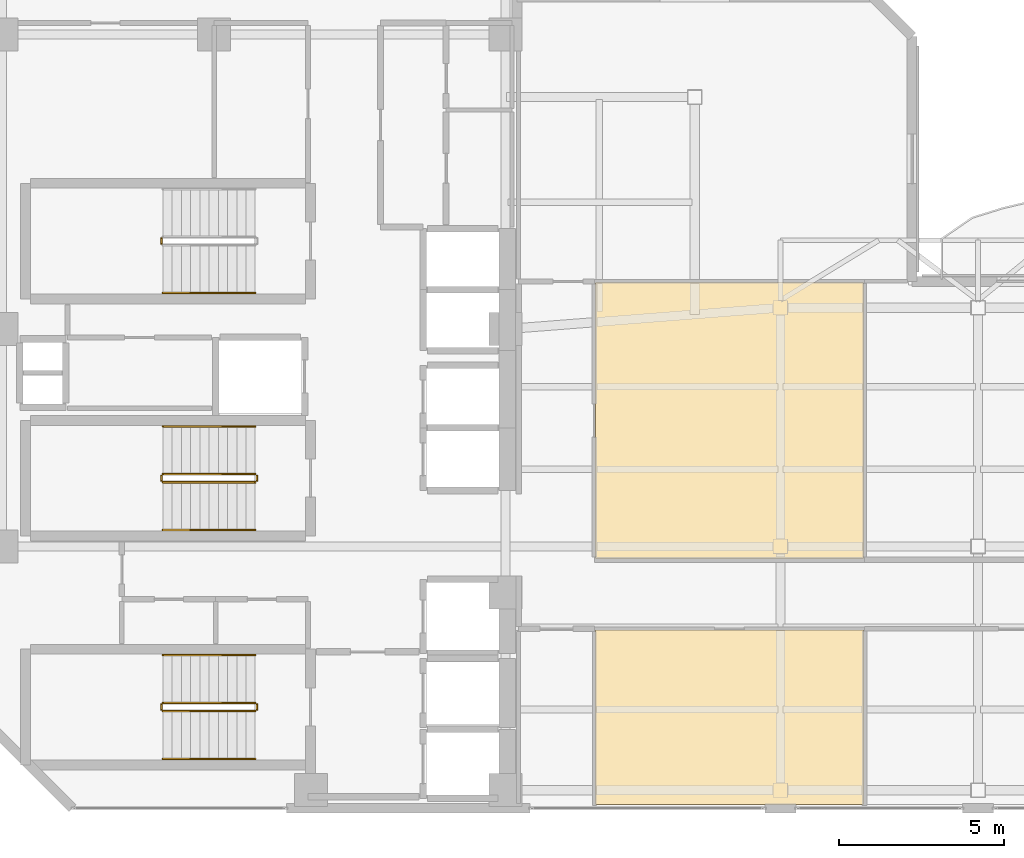
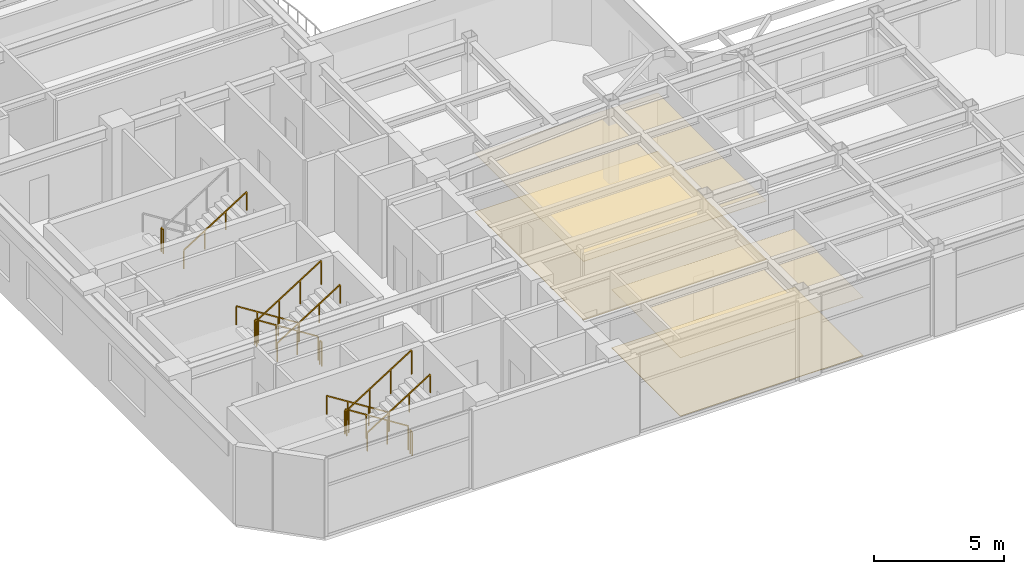
# One storey, part 13 of 17: 14 railings, 4 coverings.
"""IFC4 building model written with IfcOpenShell, lengths in metres."""

from ifc_helpers import new_model, si_unit, direction, frame, origin, origin_2d, place, context, subcontext, project, spatial, polyline, rectangle, outline, extrude, material, layer, layer_set, type_object, element, save


model = new_model("IFC4")

# Units and contexts
model_context = context("Model", 3, precision=1e-05, world=origin(), true_north=direction((0.0, 1.0)))
body_context = subcontext(model_context, "Body", "Model", "MODEL_VIEW")
ifc_project = project(units=[si_unit("LENGTHUNIT", "METRE"), si_unit("AREAUNIT", "SQUARE_METRE"), si_unit("VOLUMEUNIT", "CUBIC_METRE"), si_unit("PLANEANGLEUNIT", "RADIAN"), si_unit("MASSUNIT", "GRAM", prefix="KILO")], contexts=[model_context])

# Site, building, storey
site_placement = place(None, origin())
site = spatial("IfcSite", under=ifc_project, at=site_placement, CompositionType="ELEMENT")
building_placement = place(site_placement, origin())
building = spatial("IfcBuilding", under=site, at=building_placement, Name="Mawjaban Terraces University", CompositionType="ELEMENT")
storey_placement = place(building_placement, frame((0.0, 0.0, 183.60009765625)))
storey = spatial("IfcBuildingStorey", under=building, at=storey_placement, Name="L44", CompositionType="ELEMENT", Elevation=183.60009765625)

# Coverings
ifc_material_1 = material(Name="Acoustic mineral fibre ceiling tile", Category="masonry")
ifc_layer_1 = layer(ifc_material_1, 0.02001953125)
ifc_layer_set_1 = layer_set([ifc_layer_1], Name="Acoustic mineral fibre ceiling tile")
covering_type_1 = type_object("IfcCoveringType", Name="AcousticMineralCeiling_20", PredefinedType="CEILING", material=ifc_layer_set_1)
covering_1_placement = place(storey_placement, frame((0.0, 0.0, 2.75)))
element("IfcCovering", 1, at=covering_1_placement, inside=storey, type_object=covering_type_1, Name="L44 Seminar Room 2 Acoustic Ceiling", PredefinedType="CEILING", context=body_context, shape_type="SweptSolid", body=[
    extrude(outline(polyline([(40.3798828125, 0.114990234375), (48.52001953125, 0.114990234375), (48.52001953125, 5.419921875), (40.3798828125, 5.419921875), (40.3798828125, 0.114990234375)])), origin(), (0.0, 0.0, 1.0), 0.02001953125),
])
covering_2_placement = place(storey_placement, frame((0.0, 0.0, 2.75)))
element("IfcCovering", 2, at=covering_2_placement, inside=storey, type_object=covering_type_1, Name="L44 Classroom 3 Acoustic Ceiling", PredefinedType="CEILING", context=body_context, shape_type="SweptSolid", body=[
    extrude(outline(polyline([(48.52001953125, 7.580078125), (48.52001953125, 15.969970703125), (40.3798828125, 15.969970703125), (40.3798828125, 7.580078125), (48.52001953125, 7.580078125)])), origin(), (0.0, 0.0, 1.0), 0.02001953125),
])

# Railings
ifc_material_2 = material(Name="Brushed stainless steel 316", Category="steel")
railing_type_1 = type_object("IfcRailingType", Name="StairWallHandrail_900", PredefinedType="HANDRAIL", material=ifc_material_2)
railing_1_placement = place(storey_placement, frame((30.050048828125, 4.64990234375, 0.17724609375)))
element("IfcRailing", 3, at=railing_1_placement, inside=storey, type_object=railing_type_1, Name="L44 ST-1 stair handrail 1", PredefinedType="HANDRAIL", context=body_context, shape_type="SweptSolid", body=[
    extrude(rectangle(XDim=0.048095703125, YDim=0.048095703125, at=origin_2d()), frame((0.0, 0.0, 0.8759765625), z_axis=(-0.844908973607, 0.0, 0.534910110503), x_axis=(0.0, -1.0, 0.0)), (0.0, 0.0, 1.0), 3.31396484375),
    extrude(rectangle(XDim=0.0419921875, YDim=0.0419921875, at=origin_2d()), origin(), (0.0, 0.0, 1.0), 0.851806640625),
    extrude(rectangle(XDim=0.0419921875, YDim=0.0419921875, at=origin_2d()), frame((-0.933349609375, 0.0, 0.5908203125)), (0.0, 0.0, 1.0), 0.851806640625),
    extrude(rectangle(XDim=0.0419921875, YDim=0.0419921875, at=origin_2d()), frame((-1.86669921875, 0.0, 1.181884765625)), (0.0, 0.0, 1.0), 0.851806640625),
    extrude(rectangle(XDim=0.0419921875, YDim=0.0419921875, at=origin_2d()), frame((-2.800048828125, 0.0, 1.772705078125)), (0.0, 0.0, 1.0), 0.851806640625),
])
for number, where, name in (
    (4, (27.25, 1.5, 2.127197265625), "L44 ST-1 stair handrail 2"),
    (5, (27.25, 15.64990234375, 2.127197265625), "L44 ST-2 stair handrail 2"),
):
    element("IfcRailing", number, at=place(storey_placement, frame(where)), inside=storey, type_object=railing_type_1, Name=name, PredefinedType="HANDRAIL", context=body_context, shape_type="SweptSolid", body=[
        extrude(rectangle(XDim=0.048095703125, YDim=0.048095703125, at=origin_2d()), frame((0.0, 0.0, 0.8759765625), z_axis=(0.844908973607, 0.0, 0.534910110503), x_axis=(0.0, 1.0, 0.0)), (0.0, 0.0, 1.0), 3.31396484375),
        extrude(rectangle(XDim=0.0419921875, YDim=0.0419921875, at=origin_2d()), origin(), (0.0, 0.0, 1.0), 0.851806640625),
        extrude(rectangle(XDim=0.0419921875, YDim=0.0419921875, at=origin_2d()), frame((0.933349609375, 0.0, 0.5908203125)), (0.0, 0.0, 1.0), 0.851806640625),
        extrude(rectangle(XDim=0.0419921875, YDim=0.0419921875, at=origin_2d()), frame((1.86669921875, 0.0, 1.181884765625)), (0.0, 0.0, 1.0), 0.851806640625),
        extrude(rectangle(XDim=0.0419921875, YDim=0.0419921875, at=origin_2d()), frame((2.800048828125, 0.0, 1.772705078125)), (0.0, 0.0, 1.0), 0.851806640625),
    ])
railing_2_placement = place(storey_placement, frame((30.050048828125, 11.60009765625, 0.17724609375)))
element("IfcRailing", 6, at=railing_2_placement, inside=storey, type_object=railing_type_1, Name="L44 ST-3 stair handrail 1", PredefinedType="HANDRAIL", context=body_context, shape_type="SweptSolid", body=[
    extrude(rectangle(XDim=0.048095703125, YDim=0.048095703125, at=origin_2d()), frame((0.0, 0.0, 0.8759765625), z_axis=(-0.844908973607, 0.0, 0.534910110503), x_axis=(0.0, -1.0, 0.0)), (0.0, 0.0, 1.0), 3.31396484375),
    extrude(rectangle(XDim=0.0419921875, YDim=0.0419921875, at=origin_2d()), origin(), (0.0, 0.0, 1.0), 0.851806640625),
    extrude(rectangle(XDim=0.0419921875, YDim=0.0419921875, at=origin_2d()), frame((-0.933349609375, 0.0, 0.5908203125)), (0.0, 0.0, 1.0), 0.851806640625),
    extrude(rectangle(XDim=0.0419921875, YDim=0.0419921875, at=origin_2d()), frame((-1.86669921875, 0.0, 1.181884765625)), (0.0, 0.0, 1.0), 0.851806640625),
    extrude(rectangle(XDim=0.0419921875, YDim=0.0419921875, at=origin_2d()), frame((-2.800048828125, 0.0, 1.772705078125)), (0.0, 0.0, 1.0), 0.851806640625),
])
railing_3_placement = place(storey_placement, frame((27.25, 8.449951171875, 2.127197265625)))
element("IfcRailing", 7, at=railing_3_placement, inside=storey, type_object=railing_type_1, Name="L44 ST-3 stair handrail 2", PredefinedType="HANDRAIL", context=body_context, shape_type="SweptSolid", body=[
    extrude(rectangle(XDim=0.048095703125, YDim=0.048095703125, at=origin_2d()), frame((0.0, 0.0, 0.8759765625), z_axis=(0.844908973607, 0.0, 0.534910110503), x_axis=(0.0, 1.0, 0.0)), (0.0, 0.0, 1.0), 3.31396484375),
    extrude(rectangle(XDim=0.0419921875, YDim=0.0419921875, at=origin_2d()), origin(), (0.0, 0.0, 1.0), 0.851806640625),
    extrude(rectangle(XDim=0.0419921875, YDim=0.0419921875, at=origin_2d()), frame((0.933349609375, 0.0, 0.5908203125)), (0.0, 0.0, 1.0), 0.851806640625),
    extrude(rectangle(XDim=0.0419921875, YDim=0.0419921875, at=origin_2d()), frame((1.86669921875, 0.0, 1.181884765625)), (0.0, 0.0, 1.0), 0.851806640625),
    extrude(rectangle(XDim=0.0419921875, YDim=0.0419921875, at=origin_2d()), frame((2.800048828125, 0.0, 1.772705078125)), (0.0, 0.0, 1.0), 0.851806640625),
])
ifc_material_3 = material(Name="Galvanised painted steel S355", Category="steel")
railing_type_2 = type_object("IfcRailingType", Name="StairWellGuard_1150", PredefinedType="BALUSTRADE", material=ifc_material_3)
railing_4_placement = place(storey_placement, frame((30.050048828125, 3.199951171875, 0.17724609375)))
element("IfcRailing", 8, at=railing_4_placement, inside=storey, type_object=railing_type_2, Name="L44 ST-1 stair guard 1", PredefinedType="BALUSTRADE", context=body_context, shape_type="SweptSolid", body=[
    extrude(rectangle(XDim=0.048095703125, YDim=0.048095703125, at=origin_2d()), frame((0.0, 0.0, 1.1259765625), z_axis=(-0.844908973607, 0.0, 0.534910110503), x_axis=(0.0, -1.0, 0.0)), (0.0, 0.0, 1.0), 3.31396484375),
    extrude(rectangle(XDim=0.0419921875, YDim=0.0419921875, at=origin_2d()), origin(), (0.0, 0.0, 1.0), 1.101806640625),
    extrude(rectangle(XDim=0.0419921875, YDim=0.0419921875, at=origin_2d()), frame((-0.933349609375, 0.0, 0.5908203125)), (0.0, 0.0, 1.0), 1.101806640625),
    extrude(rectangle(XDim=0.0419921875, YDim=0.0419921875, at=origin_2d()), frame((-1.86669921875, 0.0, 1.181884765625)), (0.0, 0.0, 1.0), 1.101806640625),
    extrude(rectangle(XDim=0.0419921875, YDim=0.0419921875, at=origin_2d()), frame((-2.800048828125, 0.0, 1.772705078125)), (0.0, 0.0, 1.0), 1.101806640625),
])
railing_5_placement = place(storey_placement, frame((27.199951171875, 3.14990234375, 1.949951171875)))
element("IfcRailing", 9, at=railing_5_placement, inside=storey, type_object=railing_type_2, Name="L44 ST-1 stair guard 2", PredefinedType="BALUSTRADE", context=body_context, shape_type="SweptSolid", body=[
    extrude(rectangle(XDim=0.048095703125, YDim=0.048095703125, at=origin_2d()), frame((0.0, 0.0, 1.1259765625), z_axis=(0.0, -1.0, 0.0), x_axis=(1.0, 0.0, 0.0)), (0.0, 0.0, 1.0), 0.14990234375),
    extrude(rectangle(XDim=0.0419921875, YDim=0.0419921875, at=origin_2d()), origin(), (0.0, 0.0, 1.0), 1.101806640625),
    extrude(rectangle(XDim=0.0419921875, YDim=0.0419921875, at=origin_2d()), frame((0.0, -0.14990234375, 0.0)), (0.0, 0.0, 1.0), 1.101806640625),
])
railing_6_placement = place(storey_placement, frame((27.25, 2.949951171875, 2.127197265625)))
element("IfcRailing", 10, at=railing_6_placement, inside=storey, type_object=railing_type_2, Name="L44 ST-1 stair guard 3", PredefinedType="BALUSTRADE", context=body_context, shape_type="SweptSolid", body=[
    extrude(rectangle(XDim=0.048095703125, YDim=0.048095703125, at=origin_2d()), frame((0.0, 0.0, 1.1259765625), z_axis=(0.844908973607, 0.0, 0.534910110503), x_axis=(0.0, 1.0, 0.0)), (0.0, 0.0, 1.0), 3.31396484375),
    extrude(rectangle(XDim=0.0419921875, YDim=0.0419921875, at=origin_2d()), origin(), (0.0, 0.0, 1.0), 1.101806640625),
    extrude(rectangle(XDim=0.0419921875, YDim=0.0419921875, at=origin_2d()), frame((0.933349609375, 0.0, 0.5908203125)), (0.0, 0.0, 1.0), 1.101806640625),
    extrude(rectangle(XDim=0.0419921875, YDim=0.0419921875, at=origin_2d()), frame((1.86669921875, 0.0, 1.181884765625)), (0.0, 0.0, 1.0), 1.101806640625),
    extrude(rectangle(XDim=0.0419921875, YDim=0.0419921875, at=origin_2d()), frame((2.800048828125, 0.0, 1.772705078125)), (0.0, 0.0, 1.0), 1.101806640625),
])
railing_7_placement = place(storey_placement, frame((30.10009765625, 3.14990234375, 0.0)))
element("IfcRailing", 11, at=railing_7_placement, inside=storey, type_object=railing_type_2, Name="L44 ST-1 stair guard 4", PredefinedType="BALUSTRADE", context=body_context, shape_type="SweptSolid", body=[
    extrude(rectangle(XDim=0.048095703125, YDim=0.048095703125, at=origin_2d()), frame((0.0, 0.0, 1.1259765625), z_axis=(0.0, -1.0, 0.0), x_axis=(1.0, 0.0, 0.0)), (0.0, 0.0, 1.0), 0.14990234375),
    extrude(rectangle(XDim=0.0419921875, YDim=0.0419921875, at=origin_2d()), origin(), (0.0, 0.0, 1.0), 1.101806640625),
    extrude(rectangle(XDim=0.0419921875, YDim=0.0419921875, at=origin_2d()), frame((0.0, -0.14990234375, 0.0)), (0.0, 0.0, 1.0), 1.101806640625),
])
railing_8_placement = place(storey_placement, frame((27.199951171875, 17.300048828125, 1.949951171875)))
element("IfcRailing", 12, at=railing_8_placement, inside=storey, type_object=railing_type_2, Name="L44 ST-2 stair guard 2", PredefinedType="BALUSTRADE", context=body_context, shape_type="SweptSolid", body=[
    extrude(rectangle(XDim=0.048095703125, YDim=0.048095703125, at=origin_2d()), frame((0.0, 0.0, 1.1259765625), z_axis=(0.0, -1.0, 0.0), x_axis=(1.0, 0.0, 0.0)), (0.0, 0.0, 1.0), 0.150146484375),
    extrude(rectangle(XDim=0.0419921875, YDim=0.0419921875, at=origin_2d()), origin(), (0.0, 0.0, 1.0), 1.101806640625),
    extrude(rectangle(XDim=0.0419921875, YDim=0.0419921875, at=origin_2d()), frame((0.0, -0.150146484375, 0.0)), (0.0, 0.0, 1.0), 1.101806640625),
])
railing_9_placement = place(storey_placement, frame((30.050048828125, 10.14990234375, 0.17724609375)))
element("IfcRailing", 13, at=railing_9_placement, inside=storey, type_object=railing_type_2, Name="L44 ST-3 stair guard 1", PredefinedType="BALUSTRADE", context=body_context, shape_type="SweptSolid", body=[
    extrude(rectangle(XDim=0.048095703125, YDim=0.048095703125, at=origin_2d()), frame((0.0, 0.0, 1.1259765625), z_axis=(-0.844908973607, 0.0, 0.534910110503), x_axis=(0.0, -1.0, 0.0)), (0.0, 0.0, 1.0), 3.31396484375),
    extrude(rectangle(XDim=0.0419921875, YDim=0.0419921875, at=origin_2d()), origin(), (0.0, 0.0, 1.0), 1.101806640625),
    extrude(rectangle(XDim=0.0419921875, YDim=0.0419921875, at=origin_2d()), frame((-0.933349609375, 0.0, 0.5908203125)), (0.0, 0.0, 1.0), 1.101806640625),
    extrude(rectangle(XDim=0.0419921875, YDim=0.0419921875, at=origin_2d()), frame((-1.86669921875, 0.0, 1.181884765625)), (0.0, 0.0, 1.0), 1.101806640625),
    extrude(rectangle(XDim=0.0419921875, YDim=0.0419921875, at=origin_2d()), frame((-2.800048828125, 0.0, 1.772705078125)), (0.0, 0.0, 1.0), 1.101806640625),
])
railing_10_placement = place(storey_placement, frame((27.199951171875, 10.10009765625, 1.949951171875)))
element("IfcRailing", 14, at=railing_10_placement, inside=storey, type_object=railing_type_2, Name="L44 ST-3 stair guard 2", PredefinedType="BALUSTRADE", context=body_context, shape_type="SweptSolid", body=[
    extrude(rectangle(XDim=0.048095703125, YDim=0.048095703125, at=origin_2d()), frame((0.0, 0.0, 1.1259765625), z_axis=(0.0, -1.0, 0.0), x_axis=(1.0, 0.0, 0.0)), (0.0, 0.0, 1.0), 0.150146484375),
    extrude(rectangle(XDim=0.0419921875, YDim=0.0419921875, at=origin_2d()), origin(), (0.0, 0.0, 1.0), 1.101806640625),
    extrude(rectangle(XDim=0.0419921875, YDim=0.0419921875, at=origin_2d()), frame((0.0, -0.150146484375, 0.0)), (0.0, 0.0, 1.0), 1.101806640625),
])
railing_11_placement = place(storey_placement, frame((27.25, 9.89990234375, 2.127197265625)))
element("IfcRailing", 15, at=railing_11_placement, inside=storey, type_object=railing_type_2, Name="L44 ST-3 stair guard 3", PredefinedType="BALUSTRADE", context=body_context, shape_type="SweptSolid", body=[
    extrude(rectangle(XDim=0.048095703125, YDim=0.048095703125, at=origin_2d()), frame((0.0, 0.0, 1.1259765625), z_axis=(0.844908973607, 0.0, 0.534910110503), x_axis=(0.0, 1.0, 0.0)), (0.0, 0.0, 1.0), 3.31396484375),
    extrude(rectangle(XDim=0.0419921875, YDim=0.0419921875, at=origin_2d()), origin(), (0.0, 0.0, 1.0), 1.101806640625),
    extrude(rectangle(XDim=0.0419921875, YDim=0.0419921875, at=origin_2d()), frame((0.933349609375, 0.0, 0.5908203125)), (0.0, 0.0, 1.0), 1.101806640625),
    extrude(rectangle(XDim=0.0419921875, YDim=0.0419921875, at=origin_2d()), frame((1.86669921875, 0.0, 1.181884765625)), (0.0, 0.0, 1.0), 1.101806640625),
    extrude(rectangle(XDim=0.0419921875, YDim=0.0419921875, at=origin_2d()), frame((2.800048828125, 0.0, 1.772705078125)), (0.0, 0.0, 1.0), 1.101806640625),
])
railing_12_placement = place(storey_placement, frame((30.10009765625, 10.10009765625, 0.0)))
element("IfcRailing", 16, at=railing_12_placement, inside=storey, type_object=railing_type_2, Name="L44 ST-3 stair guard 4", PredefinedType="BALUSTRADE", context=body_context, shape_type="SweptSolid", body=[
    extrude(rectangle(XDim=0.048095703125, YDim=0.048095703125, at=origin_2d()), frame((0.0, 0.0, 1.1259765625), z_axis=(0.0, -1.0, 0.0), x_axis=(1.0, 0.0, 0.0)), (0.0, 0.0, 1.0), 0.150146484375),
    extrude(rectangle(XDim=0.0419921875, YDim=0.0419921875, at=origin_2d()), origin(), (0.0, 0.0, 1.0), 1.101806640625),
    extrude(rectangle(XDim=0.0419921875, YDim=0.0419921875, at=origin_2d()), frame((0.0, -0.150146484375, 0.0)), (0.0, 0.0, 1.0), 1.101806640625),
])

# Coverings
ifc_material_4 = material(Name="Polished Hijazi granite terrazzo flooring", Category="masonry")
ifc_layer_2 = layer(ifc_material_4, 0.02490234375)
ifc_layer_set_2 = layer_set([ifc_layer_2], Name="Polished Hijazi granite terrazzo flooring")
covering_type_2 = type_object("IfcCoveringType", Name="TerrazzoConcourseFlooring_25", PredefinedType="FLOORING", material=ifc_layer_set_2)
covering_3_placement = place(storey_placement, origin())
element("IfcCovering", 17, at=covering_3_placement, inside=storey, type_object=covering_type_2, Name="L44 Seminar Room 2 Terrazzo Flooring", PredefinedType="FLOORING", context=body_context, shape_type="SweptSolid", body=[
    extrude(outline(polyline([(40.3798828125, 0.114990234375), (48.52001953125, 0.114990234375), (48.52001953125, 5.419921875), (40.3798828125, 5.419921875), (40.3798828125, 0.114990234375)])), origin(), (0.0, 0.0, 1.0), 0.02490234375),
])
covering_4_placement = place(storey_placement, origin())
element("IfcCovering", 18, at=covering_4_placement, inside=storey, type_object=covering_type_2, Name="L44 Classroom 3 Terrazzo Flooring", PredefinedType="FLOORING", context=body_context, shape_type="SweptSolid", body=[
    extrude(outline(polyline([(48.52001953125, 7.580078125), (48.52001953125, 15.969970703125), (40.3798828125, 15.969970703125), (40.3798828125, 7.580078125), (48.52001953125, 7.580078125)])), origin(), (0.0, 0.0, 1.0), 0.02490234375),
])

save(model, "model.ifc")
